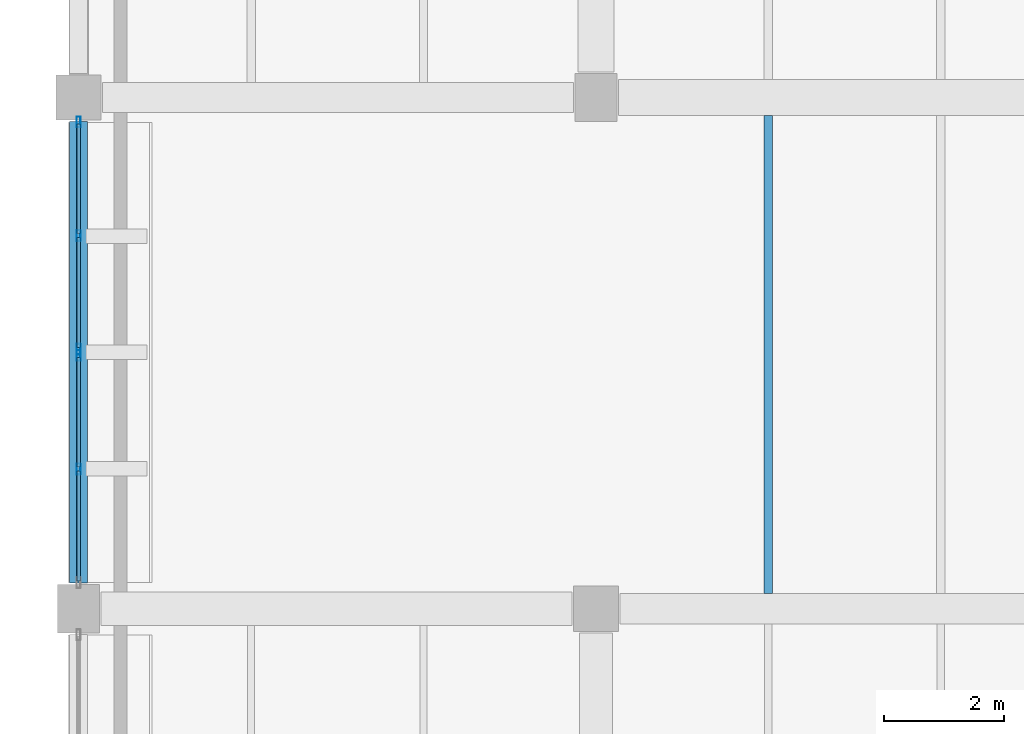
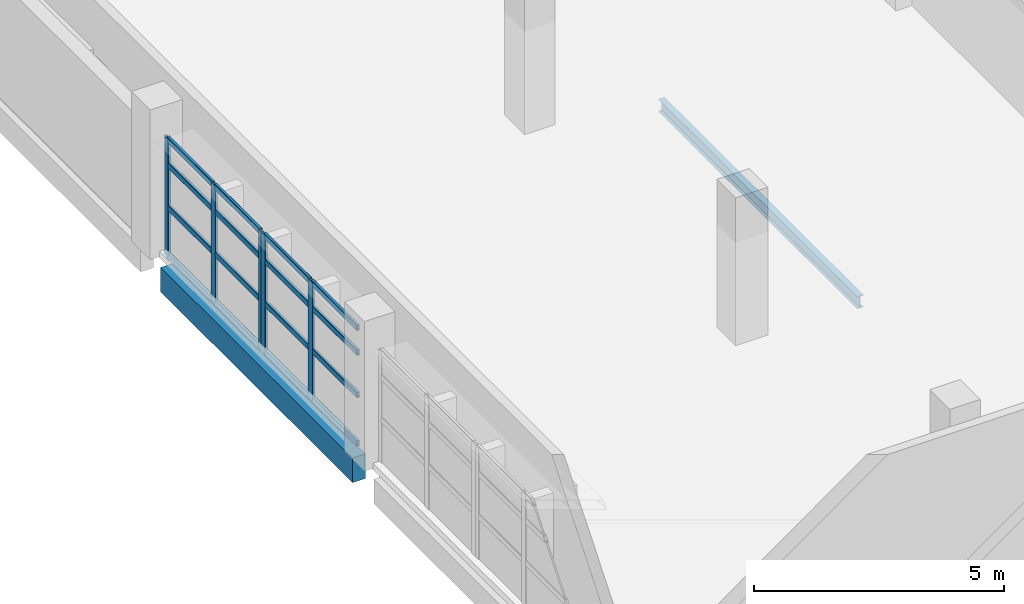
# One storey, part 43 of 80: 21 members, 2 beams, 2 elements without a shape of their own.
"""IFC4 building model written with IfcOpenShell, lengths in metres."""

from ifc_helpers import new_model, si_unit, direction, frame, origin, origin_2d, place, context, subcontext, project, spatial, rectangle, hollow_rectangle, i_section, extrude, material, material_profile, profile_set, type_object, element, aggregate, save


model = new_model("IFC4")

# Units and contexts
model_context = context("Model", 3, precision=1e-05, world=origin(), true_north=direction((0.0, 1.0)))
body_context = subcontext(model_context, "Body", "Model", "MODEL_VIEW")
ifc_project = project(units=[si_unit("LENGTHUNIT", "METRE"), si_unit("AREAUNIT", "SQUARE_METRE"), si_unit("VOLUMEUNIT", "CUBIC_METRE"), si_unit("PLANEANGLEUNIT", "RADIAN"), si_unit("MASSUNIT", "GRAM", prefix="KILO")], contexts=[model_context])

# Site, building, storey
site_placement = place(None, origin())
site = spatial("IfcSite", under=ifc_project, at=site_placement, CompositionType="ELEMENT")
building_placement = place(site_placement, origin())
building = spatial("IfcBuilding", under=site, at=building_placement, Name="Varnakota Cinema and Media Centre", CompositionType="ELEMENT")
storey_placement = place(building_placement, frame((0.0, 0.0, 4.5)))
storey = spatial("IfcBuildingStorey", under=building, at=storey_placement, Name="L01", CompositionType="ELEMENT", Elevation=4.5)

# Beams
ifc_material_1 = material(Name="Concrete M35", Category="concrete")
ifc_material_profile_1 = material_profile(ifc_material_1, rectangle(XDim=0.300048828125, YDim=0.60009765625, at=origin_2d()), Name="RCB 300x600")
ifc_profile_set_1 = profile_set([ifc_material_profile_1], Name="Concrete M35")
beam_type_1 = type_object("IfcBeamType", Name="BM-SP-300x600", PredefinedType="SPANDREL", material=ifc_profile_set_1)
beam_1_placement = place(storey_placement, frame((0.0, 61.425048828125, -0.550048828125), z_axis=(0.0, 1.0, 0.0), x_axis=(-1.0, 0.0, 0.0)))
element("IfcBeam", 1, at=beam_1_placement, inside=storey, type_object=beam_type_1, Name="L01 girder A/8-9", PredefinedType="SPANDREL", context=body_context, shape_type="SweptSolid", body=[
    extrude(rectangle(XDim=0.300048828125, YDim=0.60009765625, at=origin_2d()), origin(), (0.0, 0.0, 1.0), 7.675048828125),
])
ifc_material_2 = material(Name="Structural steel Grade 350 (E350)", Category="steel")
ifc_material_profile_2 = material_profile(ifc_material_2, i_section(OverallWidth=0.139892578125, OverallDepth=0.300048828125, WebThickness=0.0078125, FlangeThickness=0.01318359375, FilletRadius=0.013916015625, at=origin_2d()), Name="ISMB 300")
ifc_profile_set_2 = profile_set([ifc_material_profile_2], Name="Structural steel Grade 350 (E350)")
beam_type_2 = type_object("IfcBeamType", Name="BM-ST-ISMB300", PredefinedType="JOIST", material=ifc_profile_set_2)
beam_2_placement = place(storey_placement, frame((11.466796875, 61.25, -0.39990234375), z_axis=(0.0, 1.0, 0.0), x_axis=(-1.0, 0.0, 0.0)))
element("IfcBeam", 2, at=beam_2_placement, inside=storey, type_object=beam_type_2, Name="L01 steel joist B-C/8-9 #1", PredefinedType="JOIST", context=body_context, shape_type="SweptSolid", body=[
    extrude(i_section(OverallWidth=0.139892578125, OverallDepth=0.300048828125, WebThickness=0.0078125, FlangeThickness=0.01318359375, FilletRadius=0.013916015625, at=origin_2d()), origin(), (0.0, 0.0, 1.0), 7.949951171875),
])

# Curtain wall, members
ifc_material_3 = material(Name="Thermally broken anodised aluminium AW-6063", Category="aluminium")
curtain_wall_type = type_object("IfcCurtainWallType", Name="CW-STD-384x288", PredefinedType="USERDEFINED", material=ifc_material_3)
curtain_wall_1_placement = place(storey_placement, origin())
curtain_wall_1 = element("IfcCurtainWall", 3, at=curtain_wall_1_placement, inside=storey, type_object=curtain_wall_type, Name="L01 curtain wall CW-L01-V5-W-02-1", ObjectType="UNITISED CURTAIN WALL", PredefinedType="USERDEFINED")
ifc_material_4 = material(Name="Thermally broken anodised aluminium AW-6063", Category="aluminium")
ifc_material_profile_3 = material_profile(ifc_material_4, hollow_rectangle(XDim=0.06494140625, YDim=0.179931640625, WallThickness=0.00390625, InnerFilletRadius=0.00390625, OuterFilletRadius=0.008056640625, at=origin_2d()), Name="AL-MULLION 180x65x4")
ifc_profile_set_3 = profile_set([ifc_material_profile_3], Name="Thermally broken anodised aluminium AW-6063")
member_type_1 = type_object("IfcMemberType", Name="CWM-AL-180", PredefinedType="MULLION", material=ifc_profile_set_3)
member_1_placement = place(storey_placement, frame((0.0, 69.092529296875, 0.0), z_axis=(0.0, 0.0, 1.0), x_axis=(1.0, 0.0, 0.0)))
member_1 = element("IfcMember", 4, at=member_1_placement, type_object=member_type_1, Name="CW26 mullion 1", PredefinedType="MULLION", context=body_context, shape_type="SweptSolid", body=[
    extrude(hollow_rectangle(XDim=0.06494140625, YDim=0.179931640625, WallThickness=0.00390625, InnerFilletRadius=0.00390625, OuterFilletRadius=0.008056640625, at=origin_2d()), origin(), (0.0, 0.0, 1.0), 2.885009765625),
])
member_2_placement = place(storey_placement, frame((0.0, 67.203857421875, 0.0), z_axis=(0.0, 0.0, 1.0), x_axis=(1.0, 0.0, 0.0)))
member_2 = element("IfcMember", 5, at=member_2_placement, type_object=member_type_1, Name="CW26 mullion 2", PredefinedType="MULLION", context=body_context, shape_type="SweptSolid", body=[
    extrude(hollow_rectangle(XDim=0.06494140625, YDim=0.179931640625, WallThickness=0.00390625, InnerFilletRadius=0.00390625, OuterFilletRadius=0.008056640625, at=origin_2d()), origin(), (0.0, 0.0, 1.0), 2.885009765625),
])
member_3_placement = place(storey_placement, frame((0.0, 65.31494140625, 0.0), z_axis=(0.0, 0.0, 1.0), x_axis=(1.0, 0.0, 0.0)))
member_3 = element("IfcMember", 6, at=member_3_placement, type_object=member_type_1, Name="CW26 mullion 3", PredefinedType="MULLION", context=body_context, shape_type="SweptSolid", body=[
    extrude(hollow_rectangle(XDim=0.06494140625, YDim=0.179931640625, WallThickness=0.00390625, InnerFilletRadius=0.00390625, OuterFilletRadius=0.008056640625, at=origin_2d()), origin(), (0.0, 0.0, 1.0), 2.885009765625),
])

curtain_wall_2_placement = place(storey_placement, origin())
curtain_wall_2 = element("IfcCurtainWall", 7, at=curtain_wall_2_placement, inside=storey, type_object=curtain_wall_type, Name="L01 curtain wall CW-L01-V5-W-02-2", ObjectType="UNITISED CURTAIN WALL", PredefinedType="USERDEFINED")
member_4_placement = place(storey_placement, frame((0.0, 65.2099609375, 0.0), z_axis=(0.0, 0.0, 1.0), x_axis=(1.0, 0.0, 0.0)))
member_4 = element("IfcMember", 8, at=member_4_placement, type_object=member_type_1, Name="CW26 mullion 1", PredefinedType="MULLION", context=body_context, shape_type="SweptSolid", body=[
    extrude(hollow_rectangle(XDim=0.06494140625, YDim=0.179931640625, WallThickness=0.00390625, InnerFilletRadius=0.00390625, OuterFilletRadius=0.008056640625, at=origin_2d()), origin(), (0.0, 0.0, 1.0), 2.885009765625),
])
member_5_placement = place(storey_placement, frame((0.0, 63.3212890625, 0.0), z_axis=(0.0, 0.0, 1.0), x_axis=(1.0, 0.0, 0.0)))
member_5 = element("IfcMember", 9, at=member_5_placement, type_object=member_type_1, Name="CW26 mullion 2", PredefinedType="MULLION", context=body_context, shape_type="SweptSolid", body=[
    extrude(hollow_rectangle(XDim=0.06494140625, YDim=0.179931640625, WallThickness=0.00390625, InnerFilletRadius=0.00390625, OuterFilletRadius=0.008056640625, at=origin_2d()), origin(), (0.0, 0.0, 1.0), 2.885009765625),
])

# Member
ifc_material_5 = material(Name="Thermally broken anodised aluminium AW-6063", Category="aluminium")
ifc_material_profile_4 = material_profile(ifc_material_5, hollow_rectangle(XDim=0.06494140625, YDim=0.139892578125, WallThickness=0.00390625, InnerFilletRadius=0.00390625, OuterFilletRadius=0.008056640625, at=origin_2d()), Name="AL-TRANSOM 140x65x4")
ifc_profile_set_4 = profile_set([ifc_material_profile_4], Name="Thermally broken anodised aluminium AW-6063")
member_type_2 = type_object("IfcMemberType", Name="CWT-AL-140", PredefinedType="USERDEFINED", material=ifc_profile_set_4)
member_6_placement = place(storey_placement, frame((0.0, 69.06005859375, 0.032470703125), z_axis=(0.0, -1.0, 0.0), x_axis=(1.0, 0.0, 0.0)))
member_6 = element("IfcMember", 10, at=member_6_placement, type_object=member_type_2, Name="CW26 transom 1.1", ObjectType="TRANSOM", PredefinedType="USERDEFINED", context=body_context, shape_type="SweptSolid", body=[
    extrude(hollow_rectangle(XDim=0.06494140625, YDim=0.139892578125, WallThickness=0.00390625, InnerFilletRadius=0.00390625, OuterFilletRadius=0.008056640625, at=origin_2d()), origin(), (0.0, 0.0, 1.0), 1.82373046875),
])

member_7_placement = place(storey_placement, frame((0.0, 69.06005859375, 1.211669921875), z_axis=(0.0, -1.0, 0.0), x_axis=(1.0, 0.0, 0.0)))
member_7 = element("IfcMember", 11, at=member_7_placement, type_object=member_type_2, Name="CW26 transom 1.2", ObjectType="TRANSOM", PredefinedType="USERDEFINED", context=body_context, shape_type="SweptSolid", body=[
    extrude(hollow_rectangle(XDim=0.06494140625, YDim=0.139892578125, WallThickness=0.00390625, InnerFilletRadius=0.00390625, OuterFilletRadius=0.008056640625, at=origin_2d()), origin(), (0.0, 0.0, 1.0), 1.82373046875),
])

member_8_placement = place(storey_placement, frame((0.0, 69.06005859375, 2.250244140625), z_axis=(0.0, -1.0, 0.0), x_axis=(1.0, 0.0, 0.0)))
member_8 = element("IfcMember", 12, at=member_8_placement, type_object=member_type_2, Name="CW26 transom 1.3", ObjectType="TRANSOM", PredefinedType="USERDEFINED", context=body_context, shape_type="SweptSolid", body=[
    extrude(hollow_rectangle(XDim=0.06494140625, YDim=0.139892578125, WallThickness=0.00390625, InnerFilletRadius=0.00390625, OuterFilletRadius=0.008056640625, at=origin_2d()), origin(), (0.0, 0.0, 1.0), 1.82373046875),
])

member_9_placement = place(storey_placement, frame((0.0, 69.06005859375, 2.8525390625), z_axis=(0.0, -1.0, 0.0), x_axis=(1.0, 0.0, 0.0)))
member_9 = element("IfcMember", 13, at=member_9_placement, type_object=member_type_2, Name="CW26 transom 1.4", ObjectType="TRANSOM", PredefinedType="USERDEFINED", context=body_context, shape_type="SweptSolid", body=[
    extrude(hollow_rectangle(XDim=0.06494140625, YDim=0.139892578125, WallThickness=0.00390625, InnerFilletRadius=0.00390625, OuterFilletRadius=0.008056640625, at=origin_2d()), origin(), (0.0, 0.0, 1.0), 1.82373046875),
])

member_10_placement = place(storey_placement, frame((0.0, 67.171142578125, 0.032470703125), z_axis=(0.0, -1.0, 0.0), x_axis=(1.0, 0.0, 0.0)))
member_10 = element("IfcMember", 14, at=member_10_placement, type_object=member_type_2, Name="CW26 transom 2.1", ObjectType="TRANSOM", PredefinedType="USERDEFINED", context=body_context, shape_type="SweptSolid", body=[
    extrude(hollow_rectangle(XDim=0.06494140625, YDim=0.139892578125, WallThickness=0.00390625, InnerFilletRadius=0.00390625, OuterFilletRadius=0.008056640625, at=origin_2d()), origin(), (0.0, 0.0, 1.0), 1.82373046875),
])

member_11_placement = place(storey_placement, frame((0.0, 67.171142578125, 1.211669921875), z_axis=(0.0, -1.0, 0.0), x_axis=(1.0, 0.0, 0.0)))
member_11 = element("IfcMember", 15, at=member_11_placement, type_object=member_type_2, Name="CW26 transom 2.2", ObjectType="TRANSOM", PredefinedType="USERDEFINED", context=body_context, shape_type="SweptSolid", body=[
    extrude(hollow_rectangle(XDim=0.06494140625, YDim=0.139892578125, WallThickness=0.00390625, InnerFilletRadius=0.00390625, OuterFilletRadius=0.008056640625, at=origin_2d()), origin(), (0.0, 0.0, 1.0), 1.82373046875),
])

member_12_placement = place(storey_placement, frame((0.0, 67.171142578125, 2.250244140625), z_axis=(0.0, -1.0, 0.0), x_axis=(1.0, 0.0, 0.0)))
member_12 = element("IfcMember", 16, at=member_12_placement, type_object=member_type_2, Name="CW26 transom 2.3", ObjectType="TRANSOM", PredefinedType="USERDEFINED", context=body_context, shape_type="SweptSolid", body=[
    extrude(hollow_rectangle(XDim=0.06494140625, YDim=0.139892578125, WallThickness=0.00390625, InnerFilletRadius=0.00390625, OuterFilletRadius=0.008056640625, at=origin_2d()), origin(), (0.0, 0.0, 1.0), 1.82373046875),
])

member_13_placement = place(storey_placement, frame((0.0, 67.171142578125, 2.8525390625), z_axis=(0.0, -1.0, 0.0), x_axis=(1.0, 0.0, 0.0)))
member_13 = element("IfcMember", 17, at=member_13_placement, type_object=member_type_2, Name="CW26 transom 2.4", ObjectType="TRANSOM", PredefinedType="USERDEFINED", context=body_context, shape_type="SweptSolid", body=[
    extrude(hollow_rectangle(XDim=0.06494140625, YDim=0.139892578125, WallThickness=0.00390625, InnerFilletRadius=0.00390625, OuterFilletRadius=0.008056640625, at=origin_2d()), origin(), (0.0, 0.0, 1.0), 1.82373046875),
])

aggregate(curtain_wall_1, [member_1, member_2, member_3, member_6, member_7, member_8, member_9, member_10, member_11, member_12, member_13])

member_14_placement = place(storey_placement, frame((0.0, 65.177490234375, 0.032470703125), z_axis=(0.0, -1.0, 0.0), x_axis=(1.0, 0.0, 0.0)))
member_14 = element("IfcMember", 18, at=member_14_placement, type_object=member_type_2, Name="CW26 transom 1.1", ObjectType="TRANSOM", PredefinedType="USERDEFINED", context=body_context, shape_type="SweptSolid", body=[
    extrude(hollow_rectangle(XDim=0.06494140625, YDim=0.139892578125, WallThickness=0.00390625, InnerFilletRadius=0.00390625, OuterFilletRadius=0.008056640625, at=origin_2d()), origin(), (0.0, 0.0, 1.0), 1.82373046875),
])

member_15_placement = place(storey_placement, frame((0.0, 65.177490234375, 1.211669921875), z_axis=(0.0, -1.0, 0.0), x_axis=(1.0, 0.0, 0.0)))
member_15 = element("IfcMember", 19, at=member_15_placement, type_object=member_type_2, Name="CW26 transom 1.2", ObjectType="TRANSOM", PredefinedType="USERDEFINED", context=body_context, shape_type="SweptSolid", body=[
    extrude(hollow_rectangle(XDim=0.06494140625, YDim=0.139892578125, WallThickness=0.00390625, InnerFilletRadius=0.00390625, OuterFilletRadius=0.008056640625, at=origin_2d()), origin(), (0.0, 0.0, 1.0), 1.82373046875),
])

member_16_placement = place(storey_placement, frame((0.0, 65.177490234375, 2.250244140625), z_axis=(0.0, -1.0, 0.0), x_axis=(1.0, 0.0, 0.0)))
member_16 = element("IfcMember", 20, at=member_16_placement, type_object=member_type_2, Name="CW26 transom 1.3", ObjectType="TRANSOM", PredefinedType="USERDEFINED", context=body_context, shape_type="SweptSolid", body=[
    extrude(hollow_rectangle(XDim=0.06494140625, YDim=0.139892578125, WallThickness=0.00390625, InnerFilletRadius=0.00390625, OuterFilletRadius=0.008056640625, at=origin_2d()), origin(), (0.0, 0.0, 1.0), 1.82373046875),
])

member_17_placement = place(storey_placement, frame((0.0, 65.177490234375, 2.8525390625), z_axis=(0.0, -1.0, 0.0), x_axis=(1.0, 0.0, 0.0)))
member_17 = element("IfcMember", 21, at=member_17_placement, type_object=member_type_2, Name="CW26 transom 1.4", ObjectType="TRANSOM", PredefinedType="USERDEFINED", context=body_context, shape_type="SweptSolid", body=[
    extrude(hollow_rectangle(XDim=0.06494140625, YDim=0.139892578125, WallThickness=0.00390625, InnerFilletRadius=0.00390625, OuterFilletRadius=0.008056640625, at=origin_2d()), origin(), (0.0, 0.0, 1.0), 1.82373046875),
])

member_18_placement = place(storey_placement, frame((0.0, 63.288818359375, 0.032470703125), z_axis=(0.0, -1.0, 0.0), x_axis=(1.0, 0.0, 0.0)))
member_18 = element("IfcMember", 22, at=member_18_placement, type_object=member_type_2, Name="CW26 transom 2.1", ObjectType="TRANSOM", PredefinedType="USERDEFINED", context=body_context, shape_type="SweptSolid", body=[
    extrude(hollow_rectangle(XDim=0.06494140625, YDim=0.139892578125, WallThickness=0.00390625, InnerFilletRadius=0.00390625, OuterFilletRadius=0.008056640625, at=origin_2d()), origin(), (0.0, 0.0, 1.0), 1.82373046875),
])

member_19_placement = place(storey_placement, frame((0.0, 63.288818359375, 1.211669921875), z_axis=(0.0, -1.0, 0.0), x_axis=(1.0, 0.0, 0.0)))
member_19 = element("IfcMember", 23, at=member_19_placement, type_object=member_type_2, Name="CW26 transom 2.2", ObjectType="TRANSOM", PredefinedType="USERDEFINED", context=body_context, shape_type="SweptSolid", body=[
    extrude(hollow_rectangle(XDim=0.06494140625, YDim=0.139892578125, WallThickness=0.00390625, InnerFilletRadius=0.00390625, OuterFilletRadius=0.008056640625, at=origin_2d()), origin(), (0.0, 0.0, 1.0), 1.82373046875),
])

member_20_placement = place(storey_placement, frame((0.0, 63.288818359375, 2.250244140625), z_axis=(0.0, -1.0, 0.0), x_axis=(1.0, 0.0, 0.0)))
member_20 = element("IfcMember", 24, at=member_20_placement, type_object=member_type_2, Name="CW26 transom 2.3", ObjectType="TRANSOM", PredefinedType="USERDEFINED", context=body_context, shape_type="SweptSolid", body=[
    extrude(hollow_rectangle(XDim=0.06494140625, YDim=0.139892578125, WallThickness=0.00390625, InnerFilletRadius=0.00390625, OuterFilletRadius=0.008056640625, at=origin_2d()), origin(), (0.0, 0.0, 1.0), 1.82373046875),
])

member_21_placement = place(storey_placement, frame((0.0, 63.288818359375, 2.8525390625), z_axis=(0.0, -1.0, 0.0), x_axis=(1.0, 0.0, 0.0)))
member_21 = element("IfcMember", 25, at=member_21_placement, type_object=member_type_2, Name="CW26 transom 2.4", ObjectType="TRANSOM", PredefinedType="USERDEFINED", context=body_context, shape_type="SweptSolid", body=[
    extrude(hollow_rectangle(XDim=0.06494140625, YDim=0.139892578125, WallThickness=0.00390625, InnerFilletRadius=0.00390625, OuterFilletRadius=0.008056640625, at=origin_2d()), origin(), (0.0, 0.0, 1.0), 1.82373046875),
])

aggregate(curtain_wall_2, [member_4, member_5, member_14, member_15, member_16, member_17, member_18, member_19, member_20, member_21])

save(model, "model.ifc")
